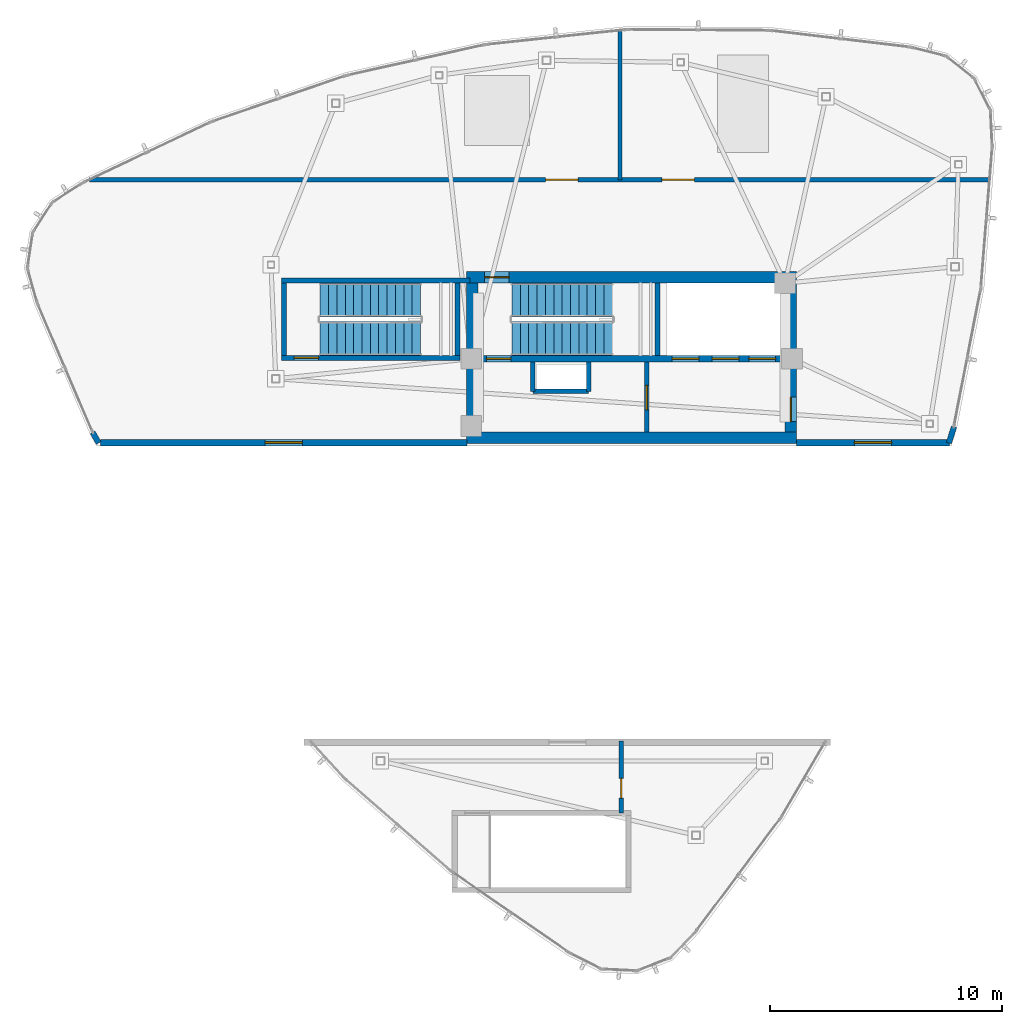
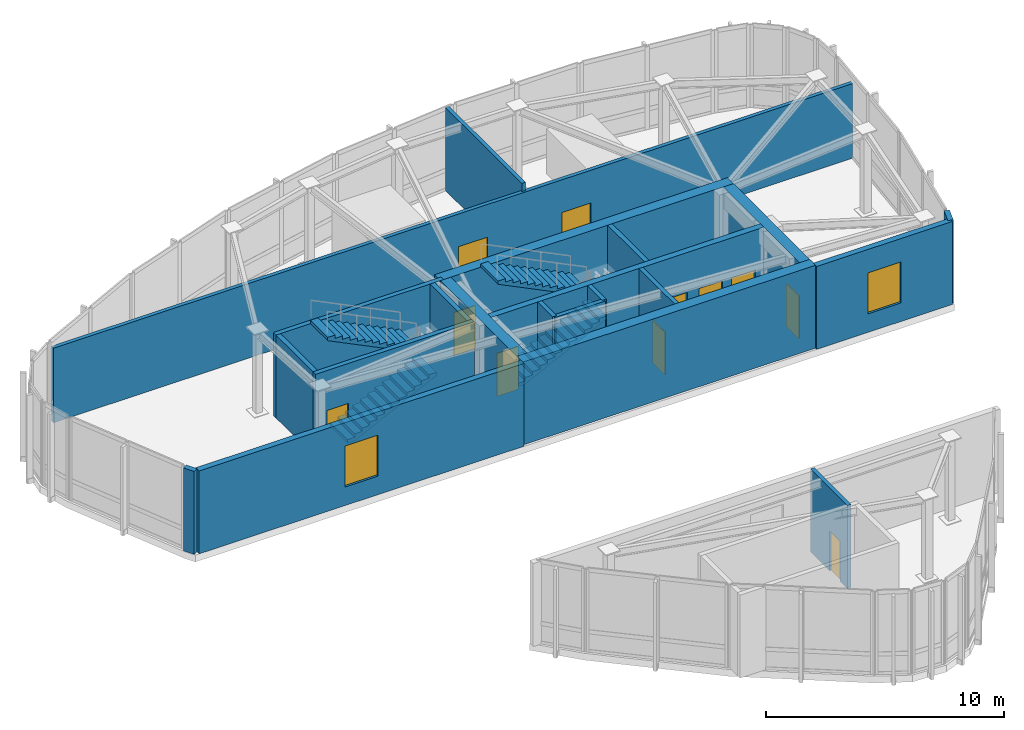
# One storey, part 10 of 15: 21 walls, 11 doors, 4 stair flights, 2 windows, 13 openings, 2 elements without a shape of their own.
"""IFC4 building model written with IfcOpenShell, lengths in metres."""

from ifc_helpers import new_model, si_unit, direction, frame, frame_2d, origin, place, context, subcontext, project, spatial, polyline, rectangle, outline, extrude, material, layer, layer_set, type_object, element, fill, aggregate, save


model = new_model("IFC4")

# Units and contexts
model_context = context("Model", 3, precision=1e-05, world=origin(), true_north=direction((0.0, 1.0)))
body_context = subcontext(model_context, "Body", "Model", "MODEL_VIEW")
ifc_project = project(units=[si_unit("LENGTHUNIT", "METRE"), si_unit("AREAUNIT", "SQUARE_METRE"), si_unit("VOLUMEUNIT", "CUBIC_METRE"), si_unit("PLANEANGLEUNIT", "RADIAN"), si_unit("MASSUNIT", "GRAM", prefix="KILO")], contexts=[model_context])

# Site, building, storey
site_placement = place(None, origin())
site = spatial("IfcSite", under=ifc_project, at=site_placement, CompositionType="ELEMENT")
building_placement = place(site_placement, origin())
building = spatial("IfcBuilding", under=site, at=building_placement, Name="Tavelor Broadcast Tower", CompositionType="ELEMENT")
storey_placement = place(building_placement, frame((0.0, 0.0, 341.300048828125)))
storey = spatial("IfcBuildingStorey", under=building, at=storey_placement, Name="L81", CompositionType="ELEMENT", Elevation=341.300048828125)

# Wall, opening, door
ifc_material_1 = material(Name="Concrete C50/60", Category="concrete")
ifc_layer_1 = layer(ifc_material_1, 0.5)
ifc_layer_set_1 = layer_set([ifc_layer_1], Name="Concrete C50/60")
wall_type_1 = type_object("IfcWallType", Name="Core Shear Wall 500 mm", PredefinedType="SHEAR", material=ifc_layer_set_1)
wall_1_placement = place(storey_placement, frame((42.89990234375, 51.449951171875, 0.0), z_axis=(0.0, 0.0, 1.0), x_axis=(1.0, 0.0, 0.0)))
wall_1 = element("IfcWall", 1, at=wall_1_placement, inside=storey, type_object=wall_type_1, Name="L81 Central Core Shear Wall N", PredefinedType="SHEAR", context=body_context, shape_type="SweptSolid", body=[
    extrude(rectangle(XDim=14.2001953125, YDim=0.5, at=frame_2d((7.10009765625, 0.0))), origin(), (0.0, 0.0, 1.0), 4.25),
])
opening_1_placement = place(wall_1_placement, frame((0.780029296875, 0.0, 0.0)))
opening_1 = element("IfcOpeningElement", 2, at=opening_1_placement, cuts=wall_1, Name="Opening DR11", PredefinedType="OPENING", context=body_context, shape_type="SweptSolid", body=[
    extrude(rectangle(XDim=1.050048828125, YDim=2.199951171875, at=frame_2d((0.52490234375, 1.10009765625))), frame((0.0, 0.260009765625, 0.0), z_axis=(0.0, -1.0, 0.0), x_axis=(1.0, 0.0, 0.0)), (0.0, 0.0, 1.0), 0.52001953125),
])
ifc_material_2 = material(Name="Steel S355", Category="steel")
door_type_1 = type_object("IfcDoorType", Name="Stair Core Fire Escape Door 1050x2200", OperationType="NOTDEFINED", PredefinedType="DOOR", material=ifc_material_2)
door_1_placement = place(opening_1_placement, origin())
door_1 = element("IfcDoor", 3, at=door_1_placement, inside=storey, type_object=door_type_1, Name="L81 Stair ST1 Protected Exit Door", OperationType="SINGLE_SWING_LEFT", OverallHeight=2.199951171875, OverallWidth=1.050048828125, PredefinedType="DOOR", context=body_context, shape_type="SweptSolid", body=[
    extrude(rectangle(XDim=1.050048828125, YDim=2.199951171875, at=frame_2d((0.52490234375, 1.10009765625))), frame((0.0, 0.02490234375, 0.0), z_axis=(0.0, -1.0, 0.0), x_axis=(1.0, 0.0, 0.0)), (0.0, 0.0, 1.0), 0.050048828125),
])
fill(opening_1, door_1)

# Walls
wall_2_placement = place(storey_placement, frame((42.89990234375, 44.550048828125, 0.0), z_axis=(0.0, 0.0, 1.0), x_axis=(1.0, 0.0, 0.0)))
element("IfcWall", 4, at=wall_2_placement, inside=storey, type_object=wall_type_1, Name="L81 Central Core Shear Wall S", PredefinedType="SHEAR", context=body_context, shape_type="SweptSolid", body=[
    extrude(rectangle(XDim=14.2001953125, YDim=0.5, at=frame_2d((7.10009765625, 0.0))), origin(), (0.0, 0.0, 1.0), 4.25),
])
wall_3_placement = place(storey_placement, frame((43.14990234375, 44.800048828125, 0.0), z_axis=(0.0, 0.0, 1.0), x_axis=(0.0, 1.0, 0.0)))
element("IfcWall", 5, at=wall_3_placement, inside=storey, type_object=wall_type_1, Name="L81 Central Core Shear Wall W", PredefinedType="SHEAR", context=body_context, shape_type="SweptSolid", body=[
    extrude(rectangle(XDim=6.39990234375, YDim=0.5, at=frame_2d((3.199951171875, 0.0))), origin(), (0.0, 0.0, 1.0), 4.25),
])

# Wall, opening, door
wall_4_placement = place(storey_placement, frame((56.85009765625, 44.800048828125, 0.0), z_axis=(0.0, 0.0, 1.0), x_axis=(0.0, 1.0, 0.0)))
wall_4 = element("IfcWall", 6, at=wall_4_placement, inside=storey, type_object=wall_type_1, Name="L81 Central Core Shear Wall E", PredefinedType="SHEAR", context=body_context, shape_type="SweptSolid", body=[
    extrude(rectangle(XDim=6.39990234375, YDim=0.5, at=frame_2d((3.199951171875, 0.0))), origin(), (0.0, 0.0, 1.0), 4.25),
])
opening_2_placement = place(wall_4_placement, frame((0.449951171875, 0.0, 0.0)))
opening_2 = element("IfcOpeningElement", 7, at=opening_2_placement, cuts=wall_4, Name="Opening DR11", PredefinedType="OPENING", context=body_context, shape_type="SweptSolid", body=[
    extrude(rectangle(XDim=1.050048828125, YDim=2.199951171875, at=frame_2d((0.52490234375, 1.10009765625))), frame((0.0, 0.260009765625, 0.0), z_axis=(0.0, -1.0, 0.0), x_axis=(1.0, 0.0, 0.0)), (0.0, 0.0, 1.0), 0.52001953125),
])
door_2_placement = place(opening_2_placement, origin())
door_2 = element("IfcDoor", 8, at=door_2_placement, inside=storey, type_object=door_type_1, Name="L81 Crown Core East Lobby Door", OperationType="SINGLE_SWING_LEFT", OverallHeight=2.199951171875, OverallWidth=1.050048828125, PredefinedType="DOOR", context=body_context, shape_type="SweptSolid", body=[
    extrude(rectangle(XDim=1.050048828125, YDim=2.199951171875, at=frame_2d((0.52490234375, 1.10009765625))), frame((0.0, 0.02490234375, 0.0), z_axis=(0.0, -1.0, 0.0), x_axis=(1.0, 0.0, 0.0)), (0.0, 0.0, 1.0), 0.050048828125),
])
fill(opening_2, door_2)

# Wall, openings, doors
ifc_layer_2 = layer(ifc_material_1, 0.300048828125)
ifc_layer_set_2 = layer_set([ifc_layer_2], Name="Concrete C50/60")
wall_type_2 = type_object("IfcWallType", Name="Core Spine Shear Wall 300 mm C50", PredefinedType="SHEAR", material=ifc_layer_set_2)
wall_5_placement = place(storey_placement, frame((43.39990234375, 47.949951171875, 0.0), z_axis=(0.0, 0.0, 1.0), x_axis=(1.0, 0.0, 0.0)))
wall_5 = element("IfcWall", 9, at=wall_5_placement, inside=storey, type_object=wall_type_2, Name="L81 Central Core Shear Wall SP1", PredefinedType="SHEAR", context=body_context, shape_type="SweptSolid", body=[
    extrude(rectangle(XDim=13.2001953125, YDim=0.300048828125, at=frame_2d((6.60009765625, 0.0))), origin(), (0.0, 0.0, 1.0), 4.25),
])
opening_3_placement = place(wall_5_placement, frame((0.35009765625, 0.0, 0.0)))
opening_3 = element("IfcOpeningElement", 10, at=opening_3_placement, cuts=wall_5, Name="Opening DR11", PredefinedType="OPENING", context=body_context, shape_type="SweptSolid", body=[
    extrude(rectangle(XDim=1.050048828125, YDim=2.199951171875, at=frame_2d((0.52490234375, 1.10009765625))), frame((0.0, 0.16015625, 0.0), z_axis=(0.0, -1.0, 0.0), x_axis=(1.0, 0.0, 0.0)), (0.0, 0.0, 1.0), 0.320068359375),
])
opening_4_placement = place(wall_5_placement, frame((8.344970703125, 0.0, 0.0)))
opening_4 = element("IfcOpeningElement", 11, at=opening_4_placement, cuts=wall_5, Name="Opening LD02", PredefinedType="OPENING", context=body_context, shape_type="SweptSolid", body=[
    extrude(rectangle(XDim=1.14990234375, YDim=2.199951171875, at=frame_2d((0.574951171875, 1.10009765625))), frame((0.0, 0.16015625, 0.0), z_axis=(0.0, -1.0, 0.0), x_axis=(1.0, 0.0, 0.0)), (0.0, 0.0, 1.0), 0.320068359375),
])
opening_5_placement = place(wall_5_placement, frame((10.06494140625, 0.0, 0.0)))
opening_5 = element("IfcOpeningElement", 12, at=opening_5_placement, cuts=wall_5, Name="Opening LD02", PredefinedType="OPENING", context=body_context, shape_type="SweptSolid", body=[
    extrude(rectangle(XDim=1.14990234375, YDim=2.199951171875, at=frame_2d((0.574951171875, 1.10009765625))), frame((0.0, 0.16015625, 0.0), z_axis=(0.0, -1.0, 0.0), x_axis=(1.0, 0.0, 0.0)), (0.0, 0.0, 1.0), 0.320068359375),
])
opening_6_placement = place(wall_5_placement, frame((11.64501953125, 0.0, 0.0)))
opening_6 = element("IfcOpeningElement", 13, at=opening_6_placement, cuts=wall_5, Name="Opening LD03", PredefinedType="OPENING", context=body_context, shape_type="SweptSolid", body=[
    extrude(rectangle(XDim=1.14990234375, YDim=2.199951171875, at=frame_2d((0.574951171875, 1.10009765625))), frame((0.0, 0.16015625, 0.0), z_axis=(0.0, -1.0, 0.0), x_axis=(1.0, 0.0, 0.0)), (0.0, 0.0, 1.0), 0.320068359375),
])
ifc_material_3 = material(Name="Reinforced Brushed Stainless Steel", Category="concrete")
door_type_2 = type_object("IfcDoorType", Name="Broadcast Goods Lift Sliding Landing Door 1250x2200", OperationType="NOTDEFINED", PredefinedType="DOOR", material=ifc_material_3)
door_3_placement = place(opening_6_placement, origin())
door_3 = element("IfcDoor", 14, at=door_3_placement, inside=storey, type_object=door_type_2, Name="L81 Lift SVL1 Sliding Landing Door", OperationType="SLIDING_TO_LEFT", OverallHeight=2.199951171875, OverallWidth=1.14990234375, PredefinedType="DOOR", context=body_context, shape_type="SweptSolid", body=[
    extrude(rectangle(XDim=1.14990234375, YDim=2.199951171875, at=frame_2d((0.574951171875, 1.10009765625))), frame((0.0, 0.02490234375, 0.0), z_axis=(0.0, -1.0, 0.0), x_axis=(1.0, 0.0, 0.0)), (0.0, 0.0, 1.0), 0.050048828125),
])
fill(opening_6, door_3)
ifc_material_4 = material(Name="Fire-Rated Stainless Steel", Category="steel")
door_type_3 = type_object("IfcDoorType", Name="Firefighting Lift Sliding Landing Door 1200x2200", OperationType="NOTDEFINED", PredefinedType="DOOR", material=ifc_material_4)
door_4_placement = place(opening_4_placement, origin())
door_4 = element("IfcDoor", 15, at=door_4_placement, inside=storey, type_object=door_type_3, Name="L81 Lift FFL1 Sliding Landing Door", OperationType="SLIDING_TO_LEFT", OverallHeight=2.199951171875, OverallWidth=1.14990234375, PredefinedType="DOOR", context=body_context, shape_type="SweptSolid", body=[
    extrude(rectangle(XDim=1.14990234375, YDim=2.199951171875, at=frame_2d((0.574951171875, 1.10009765625))), frame((0.0, 0.02490234375, 0.0), z_axis=(0.0, -1.0, 0.0), x_axis=(1.0, 0.0, 0.0)), (0.0, 0.0, 1.0), 0.050048828125),
])
fill(opening_4, door_4)
door_5_placement = place(opening_5_placement, origin())
door_5 = element("IfcDoor", 16, at=door_5_placement, inside=storey, type_object=door_type_3, Name="L81 Lift FFL2 Sliding Landing Door", OperationType="SLIDING_TO_LEFT", OverallHeight=2.199951171875, OverallWidth=1.14990234375, PredefinedType="DOOR", context=body_context, shape_type="SweptSolid", body=[
    extrude(rectangle(XDim=1.14990234375, YDim=2.199951171875, at=frame_2d((0.574951171875, 1.10009765625))), frame((0.0, 0.02490234375, 0.0), z_axis=(0.0, -1.0, 0.0), x_axis=(1.0, 0.0, 0.0)), (0.0, 0.0, 1.0), 0.050048828125),
])
fill(opening_5, door_5)
door_6_placement = place(opening_3_placement, origin())
door_6 = element("IfcDoor", 17, at=door_6_placement, inside=storey, type_object=door_type_1, Name="L81 Crown Core Stair ST1 Door", OperationType="SINGLE_SWING_LEFT", OverallHeight=2.199951171875, OverallWidth=1.050048828125, PredefinedType="DOOR", context=body_context, shape_type="SweptSolid", body=[
    extrude(rectangle(XDim=1.050048828125, YDim=2.199951171875, at=frame_2d((0.52490234375, 1.10009765625))), frame((0.0, 0.02490234375, 0.0), z_axis=(0.0, -1.0, 0.0), x_axis=(1.0, 0.0, 0.0)), (0.0, 0.0, 1.0), 0.050048828125),
])
fill(opening_3, door_6)

# Wall
ifc_material_5 = material(Name="Calcium Silicate Fire Board 180 mm", Category="gypsum")
ifc_layer_3 = layer(ifc_material_5, 0.179931640625)
ifc_layer_set_3 = layer_set([ifc_layer_3], Name="Calcium Silicate Fire Board 180 mm")
wall_type_3 = type_object("IfcWallType", Name="Fire-Rated Corridor Partition Wall 180 mm", PredefinedType="PARTITIONING", material=ifc_layer_set_3)
wall_6_placement = place(storey_placement, frame((49.5, 55.64990234375, 0.0), z_axis=(0.0, 0.0, 1.0), x_axis=(0.0, 1.0, 0.0)))
element("IfcWall", 18, at=wall_6_placement, inside=storey, type_object=wall_type_3, Name="L81 Crown Peak A Plant Divider", PredefinedType="PARTITIONING", context=body_context, shape_type="SweptSolid", body=[
    extrude(rectangle(XDim=6.42919921875, YDim=0.179931640625, at=frame_2d((3.214599609375, 0.0))), origin(), (0.0, 0.0, 1.0), 4.25),
])

# Wall, openings, doors
wall_7_placement = place(storey_placement, frame((26.668212890625, 55.64990234375, 0.0), z_axis=(0.0, 0.0, 1.0), x_axis=(1.0, 0.0, 0.0)))
wall_7 = element("IfcWall", 19, at=wall_7_placement, inside=storey, type_object=wall_type_3, Name="L81 Peak A Plant Corridor Wall", PredefinedType="PARTITIONING", context=body_context, shape_type="SweptSolid", body=[
    extrude(rectangle(XDim=38.73095703125, YDim=0.179931640625, at=frame_2d((19.365478515625, 0.0))), origin(), (0.0, 0.0, 1.0), 3.824951171875),
])
opening_7_placement = place(wall_7_placement, frame((19.6318359375, 0.0, 0.0)))
opening_7 = element("IfcOpeningElement", 20, at=opening_7_placement, cuts=wall_7, Name="Opening DR41", PredefinedType="OPENING", context=body_context, shape_type="SweptSolid", body=[
    extrude(rectangle(XDim=1.39990234375, YDim=2.14990234375, at=frame_2d((0.699951171875, 1.074951171875))), frame((0.0, 0.10009765625, 0.0), z_axis=(0.0, -1.0, 0.0), x_axis=(1.0, 0.0, 0.0)), (0.0, 0.0, 1.0), 0.199951171875),
])
opening_8_placement = place(wall_7_placement, frame((24.6318359375, 0.0, 0.0)))
opening_8 = element("IfcOpeningElement", 21, at=opening_8_placement, cuts=wall_7, Name="Opening DR41", PredefinedType="OPENING", context=body_context, shape_type="SweptSolid", body=[
    extrude(rectangle(XDim=1.39990234375, YDim=2.14990234375, at=frame_2d((0.699951171875, 1.074951171875))), frame((0.0, 0.10009765625, 0.0), z_axis=(0.0, -1.0, 0.0), x_axis=(1.0, 0.0, 0.0)), (0.0, 0.0, 1.0), 0.199951171875),
])
door_type_4 = type_object("IfcDoorType", Name="Plant Room Double Fire Door 1400x2150", OperationType="NOTDEFINED", PredefinedType="DOOR", material=ifc_material_2)
door_7_placement = place(opening_7_placement, origin())
door_7 = element("IfcDoor", 22, at=door_7_placement, inside=storey, type_object=door_type_4, Name="L81 Broadcast Chiller Plant Door", OperationType="SINGLE_SWING_LEFT", OverallHeight=2.14990234375, OverallWidth=1.39990234375, PredefinedType="DOOR", context=body_context, shape_type="SweptSolid", body=[
    extrude(rectangle(XDim=1.39990234375, YDim=2.14990234375, at=frame_2d((0.699951171875, 1.074951171875))), frame((0.0, 0.02490234375, 0.0), z_axis=(0.0, -1.0, 0.0), x_axis=(1.0, 0.0, 0.0)), (0.0, 0.0, 1.0), 0.050048828125),
])
fill(opening_7, door_7)
door_8_placement = place(opening_8_placement, origin())
door_8 = element("IfcDoor", 23, at=door_8_placement, inside=storey, type_object=door_type_4, Name="L81 Emergency Switchgear and AHU Plant Door", OperationType="SINGLE_SWING_RIGHT", OverallHeight=2.14990234375, OverallWidth=1.39990234375, PredefinedType="DOOR", context=body_context, shape_type="SweptSolid", body=[
    extrude(rectangle(XDim=1.39990234375, YDim=2.14990234375, at=frame_2d((0.699951171875, 1.074951171875))), frame((0.0, 0.02490234375, 0.0), z_axis=(0.0, -1.0, 0.0), x_axis=(1.0, 0.0, 0.0)), (0.0, 0.0, 1.0), 0.050048828125),
])
fill(opening_8, door_8)

# Wall, opening, door
wall_8_placement = place(storey_placement, frame((49.550048828125, 28.39990234375, 0.0), z_axis=(0.0, 0.0, 1.0), x_axis=(0.0, 1.0, 0.0)))
wall_8 = element("IfcWall", 24, at=wall_8_placement, inside=storey, type_object=wall_type_3, Name="L81 Peak B Telemetry Plant Wall", PredefinedType="PARTITIONING", context=body_context, shape_type="SweptSolid", body=[
    extrude(rectangle(XDim=3.10009765625, YDim=0.179931640625, at=frame_2d((1.550048828125, 0.0))), origin(), (0.0, 0.0, 1.0), 4.25),
])
opening_9_placement = place(wall_8_placement, frame((0.64990234375, 0.0, 0.0)))
opening_9 = element("IfcOpeningElement", 25, at=opening_9_placement, cuts=wall_8, Name="Opening DR36", PredefinedType="OPENING", context=body_context, shape_type="SweptSolid", body=[
    extrude(rectangle(XDim=0.85009765625, YDim=2.050048828125, at=frame_2d((0.425048828125, 1.02490234375))), frame((0.0, 0.10009765625, 0.0), z_axis=(0.0, -1.0, 0.0), x_axis=(1.0, 0.0, 0.0)), (0.0, 0.0, 1.0), 0.199951171875),
])
door_type_5 = type_object("IfcDoorType", Name="Service Room Fire Door 850x2050", OperationType="NOTDEFINED", PredefinedType="DOOR", material=ifc_material_2)
door_9_placement = place(opening_9_placement, origin())
door_9 = element("IfcDoor", 26, at=door_9_placement, inside=storey, type_object=door_type_5, Name="L81 Peak B Telemetry Plant Door", OperationType="SINGLE_SWING_RIGHT", OverallHeight=2.050048828125, OverallWidth=0.85009765625, PredefinedType="DOOR", context=body_context, shape_type="SweptSolid", body=[
    extrude(rectangle(XDim=0.85009765625, YDim=2.050048828125, at=frame_2d((0.425048828125, 1.02490234375))), frame((0.0, 0.02490234375, 0.0), z_axis=(0.0, -1.0, 0.0), x_axis=(1.0, 0.0, 0.0)), (0.0, 0.0, 1.0), 0.050048828125),
])
fill(opening_9, door_9)

# Wall, opening, window
ifc_material_6 = material(Name="Precast Concrete C40/50", Category="concrete")
ifc_layer_4 = layer(ifc_material_6, 0.280029296875)
ifc_layer_set_4 = layer_set([ifc_layer_4], Name="Precast Concrete C40/50")
wall_type_4 = type_object("IfcWallType", Name="Insulated Precast Terracotta Facade Wall 280 mm", PredefinedType="STANDARD", material=ifc_layer_set_4)
wall_9_placement = place(storey_placement, frame((27.160400390625, 44.340087890625, 0.0), z_axis=(0.0, 0.0, 1.0), x_axis=(1.0, 0.0, 0.0)))
wall_9 = element("IfcWall", 27, at=wall_9_placement, inside=storey, type_object=wall_type_4, Name="L81 Crown Peak A Sky-Slot Wall 01.1", PredefinedType="STANDARD", context=body_context, shape_type="SweptSolid", body=[
    extrude(rectangle(XDim=15.74951171875, YDim=0.280029296875, at=frame_2d((7.874755859375, 0.0))), origin(), (0.0, 0.0, 1.0), 4.25),
])
opening_10_placement = place(wall_9_placement, frame((7.07470703125, 0.0, 0.949951171875)))
opening_10 = element("IfcOpeningElement", 28, at=opening_10_placement, cuts=wall_9, Name="Opening WN29", PredefinedType="OPENING", context=body_context, shape_type="SweptSolid", body=[
    extrude(rectangle(XDim=1.60009765625, YDim=2.10009765625, at=frame_2d((0.800048828125, 1.050048828125))), frame((0.0, 0.14990234375, 0.0), z_axis=(0.0, -1.0, 0.0), x_axis=(1.0, 0.0, 0.0)), (0.0, 0.0, 1.0), 0.300048828125),
])
ifc_material_7 = material(Name="Acoustic Double Glazing 28 mm", Category="glass")
window_type = type_object("IfcWindowType", Name="Crown Beacon Observation Window 1600x2100", PartitioningType="SINGLE_PANEL", PredefinedType="WINDOW", material=ifc_material_7)
window_1_placement = place(opening_10_placement, origin())
window_1 = element("IfcWindow", 29, at=window_1_placement, inside=storey, type_object=window_type, Name="L81 Crown Sky-Slot Observation Window A01.1", OverallHeight=2.10009765625, OverallWidth=1.60009765625, PartitioningType="SINGLE_PANEL", PredefinedType="WINDOW", context=body_context, shape_type="SweptSolid", body=[
    extrude(rectangle(XDim=1.60009765625, YDim=2.10009765625, at=frame_2d((0.800048828125, 1.050048828125))), frame((0.0, 0.030029296875, 0.0), z_axis=(0.0, -1.0, 0.0), x_axis=(1.0, 0.0, 0.0)), (0.0, 0.0, 1.0), 0.06005859375),
])
fill(opening_10, window_1)

wall_10_placement = place(storey_placement, frame((57.090087890625, 44.340087890625, 0.0), z_axis=(0.0, 0.0, 1.0), x_axis=(1.0, 0.0, 0.0)))
wall_10 = element("IfcWall", 30, at=wall_10_placement, inside=storey, type_object=wall_type_4, Name="L81 Crown Peak A Sky-Slot Wall 01.2", PredefinedType="STANDARD", context=body_context, shape_type="SweptSolid", body=[
    extrude(rectangle(XDim=6.578125, YDim=0.280029296875, at=frame_2d((3.2890625, 0.0))), origin(), (0.0, 0.0, 1.0), 4.25),
])
opening_11_placement = place(wall_10_placement, frame((2.489013671875, 0.0, 0.949951171875)))
opening_11 = element("IfcOpeningElement", 31, at=opening_11_placement, cuts=wall_10, Name="Opening WN29", PredefinedType="OPENING", context=body_context, shape_type="SweptSolid", body=[
    extrude(rectangle(XDim=1.60009765625, YDim=2.10009765625, at=frame_2d((0.800048828125, 1.050048828125))), frame((0.0, 0.14990234375, 0.0), z_axis=(0.0, -1.0, 0.0), x_axis=(1.0, 0.0, 0.0)), (0.0, 0.0, 1.0), 0.300048828125),
])
window_2_placement = place(opening_11_placement, origin())
window_2 = element("IfcWindow", 32, at=window_2_placement, inside=storey, type_object=window_type, Name="L81 Crown Sky-Slot Observation Window A01.2", OverallHeight=2.10009765625, OverallWidth=1.60009765625, PartitioningType="SINGLE_PANEL", PredefinedType="WINDOW", context=body_context, shape_type="SweptSolid", body=[
    extrude(rectangle(XDim=1.60009765625, YDim=2.10009765625, at=frame_2d((0.800048828125, 1.050048828125))), frame((0.0, 0.030029296875, 0.0), z_axis=(0.0, -1.0, 0.0), x_axis=(1.0, 0.0, 0.0)), (0.0, 0.0, 1.0), 0.06005859375),
])
fill(opening_11, window_2)

# Walls
ifc_material_8 = material(Name="Concrete Blockwork 200 mm", Category="masonry")
ifc_layer_5 = layer(ifc_material_8, 0.199951171875)
ifc_layer_set_5 = layer_set([ifc_layer_5], Name="Concrete Blockwork 200 mm")
wall_type_5 = type_object("IfcWallType", Name="Lift and Riser Shaft Enclosure Wall 200 mm", PredefinedType="PARTITIONING", material=ifc_layer_set_5)
wall_11_placement = place(storey_placement, frame((45.75, 46.550048828125, 0.0), z_axis=(0.0, 0.0, 1.0), x_axis=(1.0, 0.0, 0.0)))
element("IfcWall", 33, at=wall_11_placement, inside=storey, type_object=wall_type_5, Name="L81 Riser Shaft South Wall", PredefinedType="PARTITIONING", context=body_context, shape_type="SweptSolid", body=[
    extrude(rectangle(XDim=2.39990234375, YDim=0.199951171875, at=frame_2d((1.199951171875, 0.0))), origin(), (0.0, 0.0, 1.0), 4.25),
])
for number, where, z_axis, x_axis, name in (
    (34, (48.14990234375, 46.550048828125, 0.0), (0.0, 0.0, 1.0), (0.0, 1.0, 0.0), "L81 Riser Shaft East Wall"),
    (35, (45.75, 46.550048828125, 0.0), (0.0, 0.0, 1.0), (0.0, 1.0, 0.0), "L81 Riser Shaft West Wall"),
):
    element("IfcWall", number, at=place(storey_placement, frame(where, z_axis=z_axis, x_axis=x_axis)), inside=storey, type_object=wall_type_5, Name=name, PredefinedType="PARTITIONING", context=body_context, shape_type="SweptSolid", body=[
        extrude(rectangle(XDim=1.25, YDim=0.199951171875, at=frame_2d((0.625, 0.0))), origin(), (0.0, 0.0, 1.0), 4.25),
    ])

# Wall, opening, door
wall_12_placement = place(storey_placement, frame((50.64990234375, 44.800048828125, 0.0), z_axis=(0.0, 0.0, 1.0), x_axis=(0.0, 1.0, 0.0)))
wall_12 = element("IfcWall", 36, at=wall_12_placement, inside=storey, type_object=wall_type_5, Name="L81 Firefighting Lobby West Wall", PredefinedType="PARTITIONING", context=body_context, shape_type="SweptSolid", body=[
    extrude(rectangle(XDim=3.0, YDim=0.199951171875, at=frame_2d((1.5, 0.0))), origin(), (0.0, 0.0, 1.0), 4.25),
])
opening_12_placement = place(wall_12_placement, frame((0.949951171875, 0.0, 0.0)))
opening_12 = element("IfcOpeningElement", 37, at=opening_12_placement, cuts=wall_12, Name="Opening DR11", PredefinedType="OPENING", context=body_context, shape_type="SweptSolid", body=[
    extrude(rectangle(XDim=1.050048828125, YDim=2.199951171875, at=frame_2d((0.52490234375, 1.10009765625))), frame((0.0, 0.10986328125, 0.0), z_axis=(0.0, -1.0, 0.0), x_axis=(1.0, 0.0, 0.0)), (0.0, 0.0, 1.0), 0.219970703125),
])
door_10_placement = place(opening_12_placement, origin())
door_10 = element("IfcDoor", 38, at=door_10_placement, inside=storey, type_object=door_type_1, Name="L81 Firefighting Lobby Compartment Door", OperationType="SINGLE_SWING_LEFT", OverallHeight=2.199951171875, OverallWidth=1.050048828125, PredefinedType="DOOR", context=body_context, shape_type="SweptSolid", body=[
    extrude(rectangle(XDim=1.050048828125, YDim=2.199951171875, at=frame_2d((0.52490234375, 1.10009765625))), frame((0.0, 0.02490234375, 0.0), z_axis=(0.0, -1.0, 0.0), x_axis=(1.0, 0.0, 0.0)), (0.0, 0.0, 1.0), 0.050048828125),
])
fill(opening_12, door_10)

# Walls
ifc_layer_6 = layer(ifc_material_6, 0.239990234375)
ifc_layer_set_6 = layer_set([ifc_layer_6], Name="Precast Concrete C40/50")
wall_type_6 = type_object("IfcWallType", Name="Roof and Terrace Perimeter Parapet Wall 240 mm", PredefinedType="PARAPET", material=ifc_layer_set_6)
wall_13_placement = place(storey_placement, frame((63.648681640625, 44.32568359375, 0.0), z_axis=(0.0, 0.0, 1.0), x_axis=(0.300522684649, 0.953774667315, 0.0)))
element("IfcWall", 39, at=wall_13_placement, inside=storey, type_object=wall_type_6, Name="L81 Crown Peak A Rounded Apex Pier 02", PredefinedType="PARAPET", context=body_context, shape_type="SweptSolid", body=[
    extrude(rectangle(XDim=0.7294921875, YDim=0.239990234375, at=frame_2d((0.36474609375, 0.0))), origin(), (0.0, 0.0, 1.0), 4.25),
])
wall_14_placement = place(storey_placement, frame((26.811767578125, 44.78076171875, 0.0), z_axis=(0.0, 0.0, 1.0), x_axis=(0.494980773686, -0.868903926612, 0.0)))
element("IfcWall", 40, at=wall_14_placement, inside=storey, type_object=wall_type_6, Name="L81 Crown Peak A Rounded Apex Pier 20", PredefinedType="PARAPET", context=body_context, shape_type="SweptSolid", body=[
    extrude(rectangle(XDim=0.522216796875, YDim=0.239990234375, at=frame_2d((0.26123046875, 0.0))), origin(), (0.0, 0.0, 1.0), 4.25),
])
ifc_material_9 = material(Name="Concrete C40/50", Category="concrete")
ifc_layer_7 = layer(ifc_material_9, 0.219970703125)
ifc_layer_set_7 = layer_set([ifc_layer_7], Name="Concrete C40/50")
wall_type_7 = type_object("IfcWallType", Name="Structural Stairwell Shear Wall 220 mm", PredefinedType="SHEAR", material=ifc_layer_set_7)
wall_15_placement = place(storey_placement, frame((51.110107421875, 48.10009765625, 0.0), z_axis=(0.0, 0.0, 1.0), x_axis=(0.0, 1.0, 0.0)))
element("IfcWall", 41, at=wall_15_placement, inside=storey, type_object=wall_type_7, Name="L81 Stair ST1 Structural Shaft Wall", PredefinedType="SHEAR", context=body_context, shape_type="SweptSolid", body=[
    extrude(rectangle(XDim=3.099853515625, YDim=0.219970703125, at=frame_2d((1.5498046875, 0.0))), origin(), (0.0, 0.0, 1.0), 4.25),
])

# Wall, opening, door
wall_16_placement = place(storey_placement, frame((34.929931640625, 47.989990234375, 0.0), z_axis=(0.0, 0.0, 1.0), x_axis=(1.0, 0.0, 0.0)))
wall_16 = element("IfcWall", 42, at=wall_16_placement, inside=storey, type_object=wall_type_7, Name="L81 Stair ST5 Structural Shaft Wall S", PredefinedType="SHEAR", context=body_context, shape_type="SweptSolid", body=[
    extrude(rectangle(XDim=7.690185546875, YDim=0.219970703125, at=frame_2d((3.84521484375, 0.0))), origin(), (0.0, 0.0, 1.0), 4.25),
])
opening_13_placement = place(wall_16_placement, frame((0.550048828125, 0.0, 0.0)))
opening_13 = element("IfcOpeningElement", 43, at=opening_13_placement, cuts=wall_16, Name="Opening DR11", PredefinedType="OPENING", context=body_context, shape_type="SweptSolid", body=[
    extrude(rectangle(XDim=1.050048828125, YDim=2.199951171875, at=frame_2d((0.52490234375, 1.10009765625))), frame((0.0, 0.1201171875, 0.0), z_axis=(0.0, -1.0, 0.0), x_axis=(1.0, 0.0, 0.0)), (0.0, 0.0, 1.0), 0.239990234375),
])
door_11_placement = place(opening_13_placement, origin())
door_11 = element("IfcDoor", 44, at=door_11_placement, inside=storey, type_object=door_type_1, Name="L81 Stair ST5 Protected Fire Door", OperationType="SINGLE_SWING_RIGHT", OverallHeight=2.199951171875, OverallWidth=1.050048828125, PredefinedType="DOOR", context=body_context, shape_type="SweptSolid", body=[
    extrude(rectangle(XDim=1.050048828125, YDim=2.199951171875, at=frame_2d((0.52490234375, 1.10009765625))), frame((0.0, 0.02490234375, 0.0), z_axis=(0.0, -1.0, 0.0), x_axis=(1.0, 0.0, 0.0)), (0.0, 0.0, 1.0), 0.050048828125),
])
fill(opening_13, door_11)

# Walls
wall_17_placement = place(storey_placement, frame((34.929931640625, 51.31005859375, 0.0), z_axis=(0.0, 0.0, 1.0), x_axis=(1.0, 0.0, 0.0)))
element("IfcWall", 45, at=wall_17_placement, inside=storey, type_object=wall_type_7, Name="L81 Stair ST5 Structural Shaft Wall N", PredefinedType="SHEAR", context=body_context, shape_type="SweptSolid", body=[
    extrude(rectangle(XDim=8.1201171875, YDim=0.219970703125, at=frame_2d((4.06005859375, 0.0))), origin(), (0.0, 0.0, 1.0), 4.25),
])
for number, where, z_axis, x_axis, name in (
    (46, (42.510009765625, 48.10009765625, 0.0), (0.0, 0.0, 1.0), (0.0, 1.0, 0.0), "L81 Stair ST5 Structural Shaft Wall E"),
    (47, (35.0400390625, 48.10009765625, 0.0), (0.0, 0.0, 1.0), (0.0, 1.0, 0.0), "L81 Stair ST5 Structural Shaft Wall W"),
):
    element("IfcWall", number, at=place(storey_placement, frame(where, z_axis=z_axis, x_axis=x_axis)), inside=storey, type_object=wall_type_7, Name=name, PredefinedType="SHEAR", context=body_context, shape_type="SweptSolid", body=[
        extrude(rectangle(XDim=3.099853515625, YDim=0.219970703125, at=frame_2d((1.5498046875, 0.0))), origin(), (0.0, 0.0, 1.0), 4.25),
    ])

# Stair, stair flights
stair_type = type_object("IfcStairType", Name="Reinforced Concrete Protected Dogleg Stair 1450 mm", PredefinedType="HALF_TURN_STAIR", material=ifc_material_9)
stair_1_placement = place(storey_placement, origin())
stair_1 = element("IfcStair", 48, at=stair_1_placement, inside=storey, type_object=stair_type, Name="L81 Protected Core Exit Stair ST1", PredefinedType="HALF_TURN_STAIR")
stair_flight_type = type_object("IfcStairFlightType", Name="Reinforced Concrete Stair Flight 1450 mm", PredefinedType="STRAIGHT", material=ifc_material_9)
stair_flight_1_placement = place(storey_placement, frame((44.85009765625, 48.824951171875, 0.0), z_axis=(0.0, 0.0, 1.0), x_axis=(1.0, 0.0, 0.0)))
stair_flight_1 = element("IfcStairFlight", 49, at=stair_flight_1_placement, type_object=stair_flight_type, Name="ST1 flight 1", NumberOfRisers=13, NumberOfTreads=12, PredefinedType="STRAIGHT", RiserHeight=0.176923077, TreadLength=0.36, context=body_context, shape_type="SweptSolid", body=[
    extrude(outline(polyline([(0.0, 0.0), (0.0, 0.177001953125), (0.360107421875, 0.177001953125), (0.360107421875, 0.353759765625), (0.719970703125, 0.353759765625), (0.719970703125, 0.53076171875), (1.080078125, 0.53076171875), (1.080078125, 0.707763671875), (1.43994140625, 0.707763671875), (1.43994140625, 0.884521484375), (1.800048828125, 0.884521484375), (1.800048828125, 1.0615234375), (2.159912109375, 1.0615234375), (2.159912109375, 1.238525390625), (2.52001953125, 1.238525390625), (2.52001953125, 1.415283203125), (2.8798828125, 1.415283203125), (2.8798828125, 1.59228515625), (3.239990234375, 1.59228515625), (3.239990234375, 1.769287109375), (3.60009765625, 1.769287109375), (3.60009765625, 1.946044921875), (3.9599609375, 1.946044921875), (3.9599609375, 2.123046875), (4.320068359375, 2.123046875), (4.320068359375, 2.300048828125), (4.320068359375, 1.9560546875), (0.33984375, 0.0), (0.0, 0.0)])), frame((0.0, 0.72509765625, 0.0), z_axis=(0.0, -1.0, 0.0), x_axis=(1.0, 0.0, 0.0)), (0.0, 0.0, 1.0), 1.449951171875),
])
stair_flight_2_placement = place(storey_placement, frame((49.169921875, 50.47509765625, 2.300048828125), z_axis=(0.0, 0.0, 1.0), x_axis=(-1.0, 0.0, 0.0)))
stair_flight_2 = element("IfcStairFlight", 50, at=stair_flight_2_placement, type_object=stair_flight_type, Name="ST1 flight 2", NumberOfRisers=13, NumberOfTreads=12, PredefinedType="STRAIGHT", RiserHeight=0.176923077, TreadLength=0.36, context=body_context, shape_type="SweptSolid", body=[
    extrude(outline(polyline([(0.0, 0.0), (0.0, 0.177001953125), (0.360107421875, 0.177001953125), (0.360107421875, 0.353759765625), (0.719970703125, 0.353759765625), (0.719970703125, 0.53076171875), (1.080078125, 0.53076171875), (1.080078125, 0.707763671875), (1.43994140625, 0.707763671875), (1.43994140625, 0.884521484375), (1.800048828125, 0.884521484375), (1.800048828125, 1.0615234375), (2.159912109375, 1.0615234375), (2.159912109375, 1.238525390625), (2.52001953125, 1.238525390625), (2.52001953125, 1.415283203125), (2.8798828125, 1.415283203125), (2.8798828125, 1.59228515625), (3.239990234375, 1.59228515625), (3.239990234375, 1.769287109375), (3.60009765625, 1.769287109375), (3.60009765625, 1.946044921875), (3.9599609375, 1.946044921875), (3.9599609375, 2.123046875), (4.320068359375, 2.123046875), (4.320068359375, 2.300048828125), (4.320068359375, 1.9560546875), (0.33984375, 0.0), (0.0, 0.0)])), frame((0.0, 0.72509765625, 0.0), z_axis=(0.0, -1.0, 0.0), x_axis=(1.0, 0.0, 0.0)), (0.0, 0.0, 1.0), 1.449951171875),
])
aggregate(stair_1, [stair_flight_1, stair_flight_2])

stair_2_placement = place(storey_placement, origin())
stair_2 = element("IfcStair", 51, at=stair_2_placement, inside=storey, type_object=stair_type, Name="L81 Crown Peak A Plant Stair ST5", PredefinedType="HALF_TURN_STAIR")
stair_flight_3_placement = place(storey_placement, frame((36.60009765625, 48.824951171875, 0.0), z_axis=(0.0, 0.0, 1.0), x_axis=(1.0, 0.0, 0.0)))
stair_flight_3 = element("IfcStairFlight", 52, at=stair_flight_3_placement, type_object=stair_flight_type, Name="ST5 flight 1", NumberOfRisers=13, NumberOfTreads=12, PredefinedType="STRAIGHT", RiserHeight=0.176923077, TreadLength=0.36, context=body_context, shape_type="SweptSolid", body=[
    extrude(outline(polyline([(0.0, 0.0), (0.0, 0.177001953125), (0.360107421875, 0.177001953125), (0.360107421875, 0.353759765625), (0.719970703125, 0.353759765625), (0.719970703125, 0.53076171875), (1.080078125, 0.53076171875), (1.080078125, 0.707763671875), (1.43994140625, 0.707763671875), (1.43994140625, 0.884521484375), (1.800048828125, 0.884521484375), (1.800048828125, 1.0615234375), (2.159912109375, 1.0615234375), (2.159912109375, 1.238525390625), (2.52001953125, 1.238525390625), (2.52001953125, 1.415283203125), (2.8798828125, 1.415283203125), (2.8798828125, 1.59228515625), (3.239990234375, 1.59228515625), (3.239990234375, 1.769287109375), (3.60009765625, 1.769287109375), (3.60009765625, 1.946044921875), (3.9599609375, 1.946044921875), (3.9599609375, 2.123046875), (4.320068359375, 2.123046875), (4.320068359375, 2.300048828125), (4.320068359375, 1.9560546875), (0.33984375, 0.0), (0.0, 0.0)])), frame((0.0, 0.72509765625, 0.0), z_axis=(0.0, -1.0, 0.0), x_axis=(1.0, 0.0, 0.0)), (0.0, 0.0, 1.0), 1.449951171875),
])
stair_flight_4_placement = place(storey_placement, frame((40.919921875, 50.47509765625, 2.300048828125), z_axis=(0.0, 0.0, 1.0), x_axis=(-1.0, 0.0, 0.0)))
stair_flight_4 = element("IfcStairFlight", 53, at=stair_flight_4_placement, type_object=stair_flight_type, Name="ST5 flight 2", NumberOfRisers=13, NumberOfTreads=12, PredefinedType="STRAIGHT", RiserHeight=0.176923077, TreadLength=0.36, context=body_context, shape_type="SweptSolid", body=[
    extrude(outline(polyline([(0.0, 0.0), (0.0, 0.177001953125), (0.360107421875, 0.177001953125), (0.360107421875, 0.353759765625), (0.719970703125, 0.353759765625), (0.719970703125, 0.53076171875), (1.080078125, 0.53076171875), (1.080078125, 0.707763671875), (1.43994140625, 0.707763671875), (1.43994140625, 0.884521484375), (1.800048828125, 0.884521484375), (1.800048828125, 1.0615234375), (2.159912109375, 1.0615234375), (2.159912109375, 1.238525390625), (2.52001953125, 1.238525390625), (2.52001953125, 1.415283203125), (2.8798828125, 1.415283203125), (2.8798828125, 1.59228515625), (3.239990234375, 1.59228515625), (3.239990234375, 1.769287109375), (3.60009765625, 1.769287109375), (3.60009765625, 1.946044921875), (3.9599609375, 1.946044921875), (3.9599609375, 2.123046875), (4.320068359375, 2.123046875), (4.320068359375, 2.300048828125), (4.320068359375, 1.9560546875), (0.33984375, 0.0), (0.0, 0.0)])), frame((0.0, 0.72509765625, 0.0), z_axis=(0.0, -1.0, 0.0), x_axis=(1.0, 0.0, 0.0)), (0.0, 0.0, 1.0), 1.449951171875),
])
aggregate(stair_2, [stair_flight_3, stair_flight_4])

save(model, "model.ifc")
